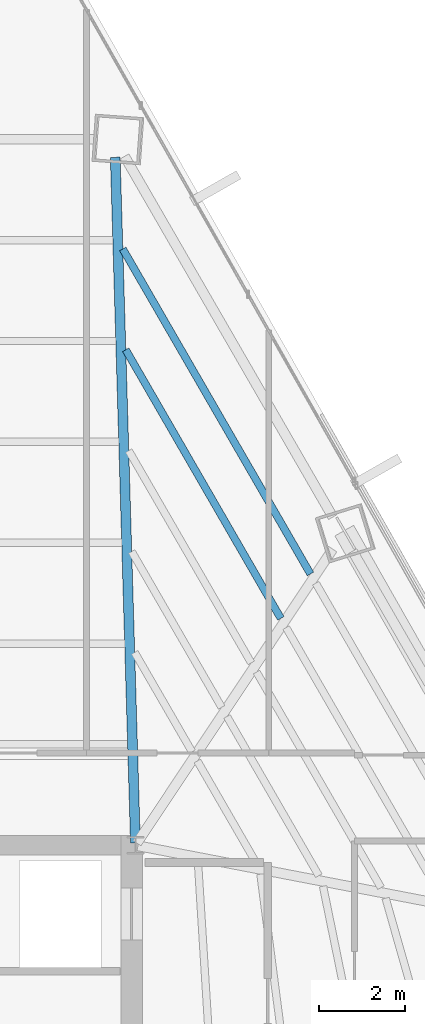
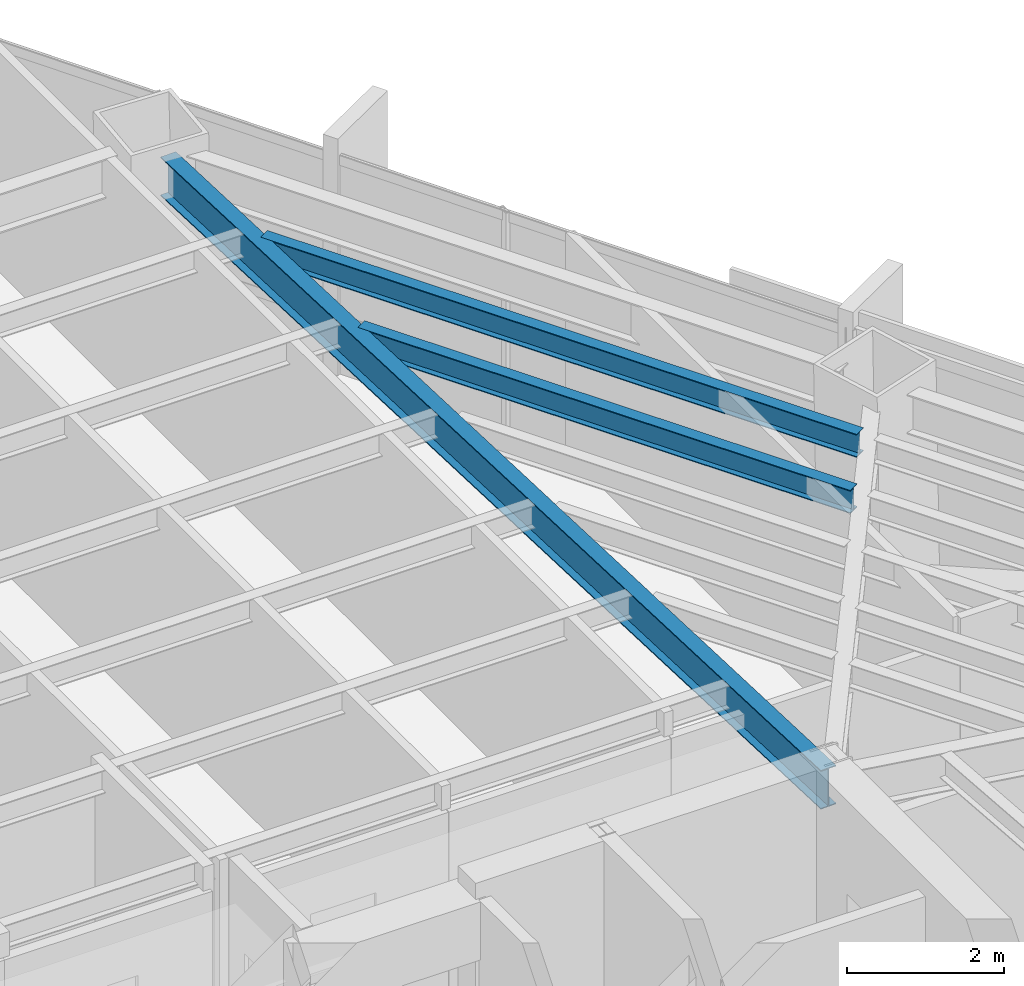
# One storey, part 28 of 37: 3 beams.
"""IFC4 building model written with IfcOpenShell, lengths in metres."""

from ifc_helpers import new_model, si_unit, direction, frame, origin, origin_2d, place, context, subcontext, project, spatial, i_section, extrude, source, transform, mapped, material, material_profile, profile_set, type_object, type_shapes, element, save


model = new_model("IFC4")

# Units and contexts
model_context = context("Model", 3, precision=1e-05, world=origin(), true_north=direction((0.0, 1.0)))
body_context = subcontext(model_context, "Body", "Model", "MODEL_VIEW")
ifc_project = project(units=[si_unit("LENGTHUNIT", "METRE"), si_unit("AREAUNIT", "SQUARE_METRE"), si_unit("VOLUMEUNIT", "CUBIC_METRE"), si_unit("PLANEANGLEUNIT", "RADIAN"), si_unit("MASSUNIT", "GRAM", prefix="KILO")], contexts=[model_context])

# Site, building, storey
site_placement = place(None, origin())
site = spatial("IfcSite", under=ifc_project, at=site_placement, CompositionType="ELEMENT")
building_placement = place(site_placement, origin())
building = spatial("IfcBuilding", under=site, at=building_placement, Name="Caelisora Broadcast Tower", CompositionType="ELEMENT")
storey_placement = place(building_placement, frame((0.0, 0.0, 120.0)))
storey = spatial("IfcBuildingStorey", under=building, at=storey_placement, Name="L31", CompositionType="ELEMENT", Elevation=120.0)

# Beams
ifc_material = material(Name="Steel Grade 350 (AS/NZS 3679.1)", Category="steel")
ifc_material_profile_1 = material_profile(ifc_material, i_section(OverallWidth=0.22802734375, OverallDepth=0.602294921875, WebThickness=0.010498046875, FlangeThickness=0.014892578125, at=origin_2d()), Name="Steel Grade 350 (AS/NZS 3679.1)")
ifc_profile_set_1 = profile_set([ifc_material_profile_1], Name="Steel Grade 350 (AS/NZS 3679.1)")
beam_type_1 = type_object("IfcBeamType", Name="PG04", PredefinedType="BEAM", material=ifc_profile_set_1)
shared_shape_1 = source(origin(), body_context, "Body", "SweptSolid", [
    extrude(i_section(OverallWidth=0.22802734375, OverallDepth=0.602294921875, WebThickness=0.010498046875, FlangeThickness=0.014892578125, at=origin_2d()), origin(), (0.0, 0.0, 1.0), 15.968017578125),
])
type_shapes(beam_type_1, [shared_shape_1])
beam_1_placement = place(storey_placement, frame((45.498291015625, 30.06005859375, 3.098876953125), z_axis=(-0.029370745902, 0.999568586584, 0.0), x_axis=(-0.999568586584, -0.029370745902, 0.0)))
element("IfcBeam", 1, at=beam_1_placement, inside=storey, type_object=beam_type_1, Name="L31 beam PG04", PredefinedType="BEAM", context=body_context, shape_type="MappedRepresentation", body=[
    mapped(shared_shape_1, transform((0.0, 0.0, 0.0), scale=1.0)),
])
ifc_material_profile_2 = material_profile(ifc_material, i_section(OverallWidth=0.172119140625, OverallDepth=0.358642578125, WebThickness=0.008056640625, FlangeThickness=0.012939453125, at=origin_2d()), Name="Steel Grade 350 (AS/NZS 3679.1)")
ifc_profile_set_2 = profile_set([ifc_material_profile_2], Name="Steel Grade 350 (AS/NZS 3679.1)")
beam_type_2 = type_object("IfcBeamType", Name="SB02", PredefinedType="JOIST", material=ifc_profile_set_2)
shared_shape_2 = source(origin(), body_context, "Body", "SweptSolid", [
    extrude(i_section(OverallWidth=0.172119140625, OverallDepth=0.358642578125, WebThickness=0.008056640625, FlangeThickness=0.012939453125, at=origin_2d()), origin(), (0.0, 0.0, 1.0), 7.22216796875),
])
beam_2_placement = place(storey_placement, frame((48.884765625, 35.283447265625, 3.220703125), z_axis=(-0.499996538125, 0.86602740249, 0.0), x_axis=(-0.86602740249, -0.499996538125, 0.0)))
element("IfcBeam", 2, at=beam_2_placement, inside=storey, type_object=beam_type_2, Name="L31 beam SB02", PredefinedType="JOIST", context=body_context, shape_type="MappedRepresentation", body=[
    mapped(shared_shape_2, transform((0.0, 0.0, 0.0), scale=1.0)),
])
shared_shape_3 = source(origin(), body_context, "Body", "SweptSolid", [
    extrude(i_section(OverallWidth=0.172119140625, OverallDepth=0.358642578125, WebThickness=0.008056640625, FlangeThickness=0.012939453125, at=origin_2d()), origin(), (0.0, 0.0, 1.0), 8.739013671875),
])
type_shapes(beam_type_2, [shared_shape_2, shared_shape_3])
beam_3_placement = place(storey_placement, frame((49.57421875, 36.318603515625, 3.220703125), z_axis=(-0.500015065024, 0.866016705814, 0.0), x_axis=(-0.866016705814, -0.500015065024, 0.0)))
element("IfcBeam", 3, at=beam_3_placement, inside=storey, type_object=beam_type_2, Name="L31 beam SB02", PredefinedType="JOIST", context=body_context, shape_type="MappedRepresentation", body=[
    mapped(shared_shape_3, transform((0.0, 0.0, 0.0), scale=1.0)),
])

save(model, "model.ifc")
